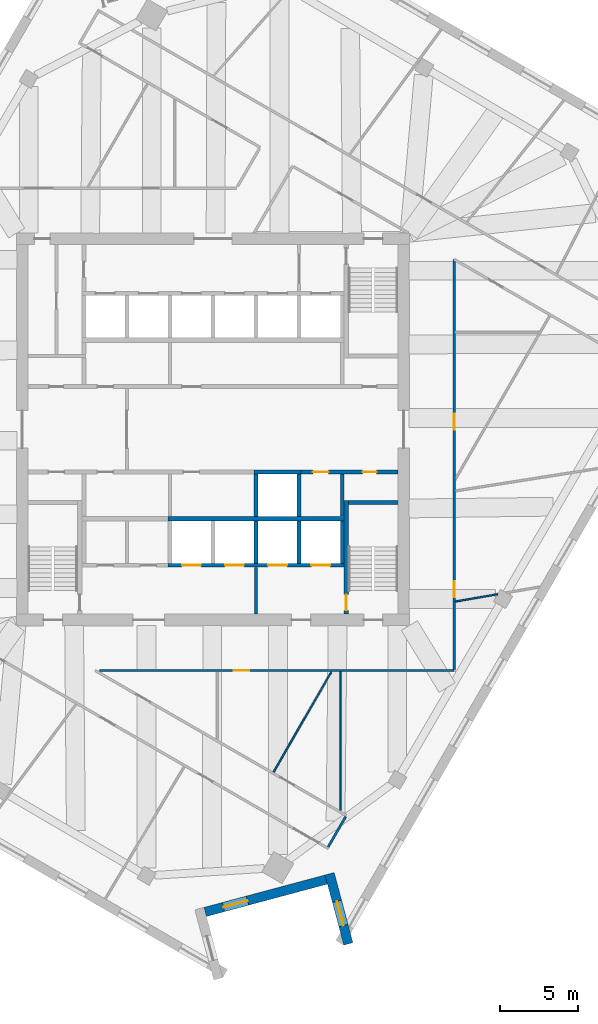
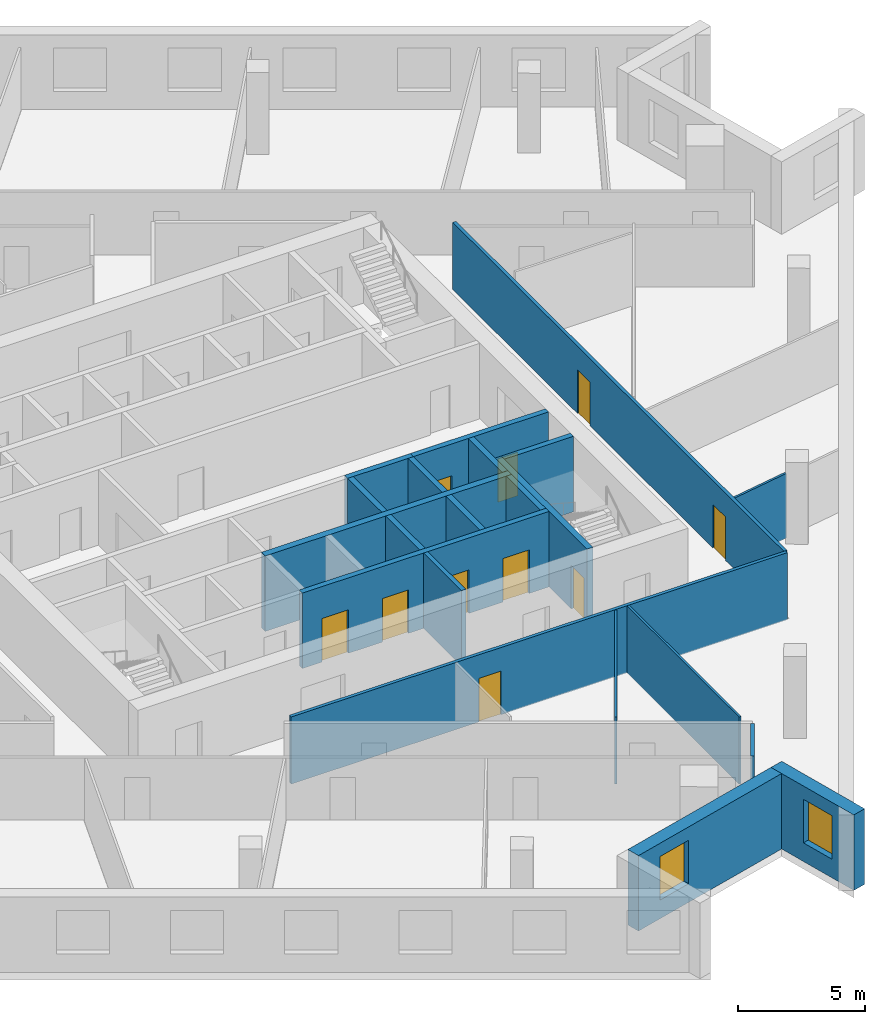
# One storey, part 7 of 13: 21 walls, 10 doors, 2 windows, 12 openings.
"""IFC4 building model written with IfcOpenShell, lengths in metres."""

from ifc_helpers import new_model, si_unit, direction, frame, frame_2d, origin, place, context, subcontext, project, spatial, rectangle, extrude, material, layer, layer_set, type_object, element, fill, save


model = new_model("IFC4")

# Units and contexts
model_context = context("Model", 3, precision=1e-05, world=origin(), true_north=direction((0.0, 1.0)))
body_context = subcontext(model_context, "Body", "Model", "MODEL_VIEW")
ifc_project = project(units=[si_unit("LENGTHUNIT", "METRE"), si_unit("AREAUNIT", "SQUARE_METRE"), si_unit("VOLUMEUNIT", "CUBIC_METRE"), si_unit("PLANEANGLEUNIT", "RADIAN"), si_unit("MASSUNIT", "GRAM", prefix="KILO")], contexts=[model_context])

# Site, building, storey
site_placement = place(None, origin())
site = spatial("IfcSite", under=ifc_project, at=site_placement, CompositionType="ELEMENT")
building_placement = place(site_placement, origin())
building = spatial("IfcBuilding", under=site, at=building_placement, Name="Dilmun Exchange Tower", CompositionType="ELEMENT")
storey_placement = place(building_placement, frame((0.0, 0.0, 262.89990234375)))
storey = spatial("IfcBuildingStorey", under=building, at=storey_placement, Name="L62", CompositionType="ELEMENT", Elevation=262.89990234375)

# Walls
ifc_material_1 = material(Name="Concrete C40/50", Category="concrete")
ifc_layer_1 = layer(ifc_material_1, 0.199951171875)
ifc_layer_set_1 = layer_set([ifc_layer_1], Name="Concrete C40/50")
wall_type_1 = type_object("IfcWallType", Name="Core partition wall 200", PredefinedType="PARTITIONING", material=ifc_layer_set_1)
wall_1_placement = place(storey_placement, frame((2.75, -11.794921875, 0.0), z_axis=(0.0, 0.0, 1.0), x_axis=(0.0, 1.0, 0.0)))
element("IfcWall", 1, at=wall_1_placement, inside=storey, type_object=wall_type_1, Name="L62 core partition wall 01", PredefinedType="PARTITIONING", context=body_context, shape_type="SweptSolid", body=[
    extrude(rectangle(XDim=2.989990234375, YDim=0.199951171875, at=frame_2d((1.4951171875, 0.0))), origin(), (0.0, 0.0, 1.0), 3.64013671875),
])
ifc_layer_2 = layer(ifc_material_1, 0.25)
ifc_layer_set_2 = layer_set([ifc_layer_2], Name="Concrete C40/50")
wall_type_2 = type_object("IfcWallType", Name="Core partition wall 250", PredefinedType="PARTITIONING", material=ifc_layer_set_2)
wall_2_placement = place(storey_placement, frame((8.25, -5.544921875, 0.0), z_axis=(0.0, 0.0, 1.0), x_axis=(0.0, 1.0, 0.0)))
element("IfcWall", 2, at=wall_2_placement, inside=storey, type_object=wall_type_2, Name="L62 core partition wall 08", PredefinedType="PARTITIONING", context=body_context, shape_type="SweptSolid", body=[
    extrude(rectangle(XDim=2.68994140625, YDim=0.25, at=frame_2d((1.344970703125, 0.0))), origin(), (0.0, 0.0, 1.0), 3.64013671875),
])

# Wall, openings, doors
wall_3_placement = place(storey_placement, frame((5.6298828125, -2.72509765625, 0.0), z_axis=(0.0, 0.0, 1.0), x_axis=(1.0, 0.0, 0.0)))
wall_3 = element("IfcWall", 3, at=wall_3_placement, inside=storey, type_object=wall_type_2, Name="L62 core partition wall 10", PredefinedType="PARTITIONING", context=body_context, shape_type="SweptSolid", body=[
    extrude(rectangle(XDim=6.1650390625, YDim=0.25, at=frame_2d((3.08251953125, 0.0))), origin(), (0.0, 0.0, 1.0), 3.64013671875),
])
opening_1_placement = place(wall_3_placement, frame((0.7451171875, 0.0, 0.0)))
opening_1 = element("IfcOpeningElement", 4, at=opening_1_placement, cuts=wall_3, Name="Opening CD4", PredefinedType="OPENING", context=body_context, shape_type="SweptSolid", body=[
    extrude(rectangle(XDim=1.0, YDim=2.10009765625, at=frame_2d((0.5, 1.050048828125))), frame((0.0, 0.135009765625, 0.0), z_axis=(0.0, -1.0, 0.0), x_axis=(1.0, 0.0, 0.0)), (0.0, 0.0, 1.0), 0.27001953125),
])
opening_2_placement = place(wall_3_placement, frame((3.919921875, 0.0, 0.0)))
opening_2 = element("IfcOpeningElement", 5, at=opening_2_placement, cuts=wall_3, Name="Opening CD6", PredefinedType="OPENING", context=body_context, shape_type="SweptSolid", body=[
    extrude(rectangle(XDim=0.89990234375, YDim=2.10009765625, at=frame_2d((0.449951171875, 1.050048828125))), frame((0.0, 0.135009765625, 0.0), z_axis=(0.0, -1.0, 0.0), x_axis=(1.0, 0.0, 0.0)), (0.0, 0.0, 1.0), 0.27001953125),
])
ifc_material_2 = material(Name="Fire-rated steel door set", Category="steel")
door_type_1 = type_object("IfcDoorType", Name="Core room door 1000x2100", OperationType="SINGLE_SWING_LEFT", PredefinedType="DOOR", material=ifc_material_2)
door_1_placement = place(opening_1_placement, origin())
door_1 = element("IfcDoor", 6, at=door_1_placement, inside=storey, type_object=door_type_1, Name="L62 door Cleaners' store", OperationType="SINGLE_SWING_LEFT", OverallHeight=2.10009765625, OverallWidth=1.0, PredefinedType="DOOR", context=body_context, shape_type="SweptSolid", body=[
    extrude(rectangle(XDim=1.0, YDim=2.10009765625, at=frame_2d((0.5, 1.050048828125))), frame((0.0, 0.02490234375, 0.0), z_axis=(0.0, -1.0, 0.0), x_axis=(1.0, 0.0, 0.0)), (0.0, 0.0, 1.0), 0.050048828125),
])
fill(opening_1, door_1)
door_type_2 = type_object("IfcDoorType", Name="Core room door 900x2100", OperationType="SINGLE_SWING_LEFT", PredefinedType="DOOR", material=ifc_material_2)
door_2_placement = place(opening_2_placement, origin())
door_2 = element("IfcDoor", 7, at=door_2_placement, inside=storey, type_object=door_type_2, Name="L62 door Comms riser", OperationType="SINGLE_SWING_LEFT", OverallHeight=2.10009765625, OverallWidth=0.89990234375, PredefinedType="DOOR", context=body_context, shape_type="SweptSolid", body=[
    extrude(rectangle(XDim=0.89990234375, YDim=2.10009765625, at=frame_2d((0.449951171875, 1.050048828125))), frame((0.0, 0.02490234375, 0.0), z_axis=(0.0, -1.0, 0.0), x_axis=(1.0, 0.0, 0.0)), (0.0, 0.0, 1.0), 0.050048828125),
])
fill(opening_2, door_2)

# Wall, opening, door
ifc_material_3 = material(Name="Corridor wall 150")
ifc_layer_3 = layer(ifc_material_3, 0.14990234375)
ifc_layer_set_3 = layer_set([ifc_layer_3], Name="Corridor wall 150")
wall_type_3 = type_object("IfcWallType", Name="Corridor wall 150", PredefinedType="PARTITIONING", material=ifc_layer_set_3)
wall_4_placement = place(storey_placement, frame((-7.239990234375, -15.39990234375, 0.0), z_axis=(0.0, 0.0, 1.0), x_axis=(1.0, 0.0, 0.0)))
wall_4 = element("IfcWall", 8, at=wall_4_placement, inside=storey, type_object=wall_type_3, Name="Corridor wall", PredefinedType="PARTITIONING", context=body_context, shape_type="SweptSolid", body=[
    extrude(rectangle(XDim=22.639892578125, YDim=0.14990234375, at=frame_2d((11.31982421875, 0.0))), origin(), (0.0, 0.0, 1.0), 3.239990234375),
])
opening_3_placement = place(wall_4_placement, frame((8.568359375, 0.0, 0.0)))
opening_3 = element("IfcOpeningElement", 9, at=opening_3_placement, cuts=wall_4, Name="Opening TF62-D11", PredefinedType="OPENING", context=body_context, shape_type="SweptSolid", body=[
    extrude(rectangle(XDim=1.0, YDim=2.10009765625, at=frame_2d((0.5, 1.050048828125))), frame((0.0, 0.0849609375, 0.0), z_axis=(0.0, -1.0, 0.0), x_axis=(1.0, 0.0, 0.0)), (0.0, 0.0, 1.0), 0.169921875),
])
ifc_material_4 = material(Name="Fire door 1000 x 2100")
door_type_3 = type_object("IfcDoorType", Name="Fire door 1000 x 2100", OperationType="NOTDEFINED", PredefinedType="DOOR", material=ifc_material_4)
door_3_placement = place(opening_3_placement, frame((1.0, 0.0, 0.0), z_axis=(0.0, 0.0, 1.0), x_axis=(-1.0, 0.0, 0.0)))
door_3 = element("IfcDoor", 10, at=door_3_placement, inside=storey, type_object=door_type_3, Name="Door TF62-D11", OperationType="SINGLE_SWING_RIGHT", OverallHeight=2.10009765625, OverallWidth=1.0, PredefinedType="DOOR", context=body_context, shape_type="SweptSolid", body=[
    extrude(rectangle(XDim=1.0, YDim=2.10009765625, at=frame_2d((0.5, 1.050048828125))), frame((0.0, 0.02490234375, 0.0), z_axis=(0.0, -1.0, 0.0), x_axis=(1.0, 0.0, 0.0)), (0.0, 0.0, 1.0), 0.050048828125),
])
fill(opening_3, door_3)

# Wall
wall_5_placement = place(storey_placement, frame((7.349609375, -26.669921875, 0.0), z_axis=(0.0, 0.0, 1.0), x_axis=(0.499919672301, 0.866071776036, 0.0)))
element("IfcWall", 11, at=wall_5_placement, inside=storey, type_object=wall_type_3, Name="Corridor wall", PredefinedType="PARTITIONING", context=body_context, shape_type="SweptSolid", body=[
    extrude(rectangle(XDim=2.250244140625, YDim=0.14990234375, at=frame_2d((1.125, 0.0))), origin(), (0.0, 0.0, 1.0), 3.0400390625),
])

# Wall, openings, doors
wall_6_placement = place(storey_placement, frame((15.39990234375, -15.324951171875, 0.0), z_axis=(0.0, 0.0, 1.0), x_axis=(0.0, 1.0, 0.0)))
wall_6 = element("IfcWall", 12, at=wall_6_placement, inside=storey, type_object=wall_type_3, Name="Corridor wall", PredefinedType="PARTITIONING", context=body_context, shape_type="SweptSolid", body=[
    extrude(rectangle(XDim=26.175048828125, YDim=0.14990234375, at=frame_2d((13.08740234375, 0.0))), origin(), (0.0, 0.0, 1.0), 3.239990234375),
])
opening_4_placement = place(wall_6_placement, frame((15.31201171875, 0.0, 0.0)))
opening_4 = element("IfcOpeningElement", 13, at=opening_4_placement, cuts=wall_6, Name="Opening TF62-D18", PredefinedType="OPENING", context=body_context, shape_type="SweptSolid", body=[
    extrude(rectangle(XDim=1.0, YDim=2.10009765625, at=frame_2d((0.5, 1.050048828125))), frame((0.0, 0.0849609375, 0.0), z_axis=(0.0, -1.0, 0.0), x_axis=(1.0, 0.0, 0.0)), (0.0, 0.0, 1.0), 0.169921875),
])
opening_5_placement = place(wall_6_placement, frame((4.618896484375, 0.0, 0.0)))
opening_5 = element("IfcOpeningElement", 14, at=opening_5_placement, cuts=wall_6, Name="Opening TF62-D20", PredefinedType="OPENING", context=body_context, shape_type="SweptSolid", body=[
    extrude(rectangle(XDim=1.0, YDim=2.10009765625, at=frame_2d((0.5, 1.050048828125))), frame((0.0, 0.0849609375, 0.0), z_axis=(0.0, -1.0, 0.0), x_axis=(1.0, 0.0, 0.0)), (0.0, 0.0, 1.0), 0.169921875),
])
door_4_placement = place(opening_4_placement, frame((1.0, 0.0, 0.0), z_axis=(0.0, 0.0, 1.0), x_axis=(-1.0, 0.0, 0.0)))
door_4 = element("IfcDoor", 15, at=door_4_placement, inside=storey, type_object=door_type_3, Name="Door TF62-D18", OperationType="SINGLE_SWING_LEFT", OverallHeight=2.10009765625, OverallWidth=1.0, PredefinedType="DOOR", context=body_context, shape_type="SweptSolid", body=[
    extrude(rectangle(XDim=1.0, YDim=2.10009765625, at=frame_2d((0.5, 1.050048828125))), frame((0.0, 0.02490234375, 0.0), z_axis=(0.0, -1.0, 0.0), x_axis=(1.0, 0.0, 0.0)), (0.0, 0.0, 1.0), 0.050048828125),
])
fill(opening_4, door_4)
door_5_placement = place(opening_5_placement, frame((1.0, 0.0, 0.0), z_axis=(0.0, 0.0, 1.0), x_axis=(-1.0, 0.0, 0.0)))
door_5 = element("IfcDoor", 16, at=door_5_placement, inside=storey, type_object=door_type_3, Name="Door TF62-D20", OperationType="SINGLE_SWING_LEFT", OverallHeight=2.10009765625, OverallWidth=1.0, PredefinedType="DOOR", context=body_context, shape_type="SweptSolid", body=[
    extrude(rectangle(XDim=1.0, YDim=2.10009765625, at=frame_2d((0.5, 1.050048828125))), frame((0.0, 0.02490234375, 0.0), z_axis=(0.0, -1.0, 0.0), x_axis=(1.0, 0.0, 0.0)), (0.0, 0.0, 1.0), 0.050048828125),
])
fill(opening_5, door_5)

# Walls
ifc_layer_4 = layer(ifc_material_1, 0.300048828125)
ifc_layer_set_4 = layer_set([ifc_layer_4], Name="Concrete C40/50")
wall_type_4 = type_object("IfcWallType", Name="Lift shaft shared wall 300", PredefinedType="SOLIDWALL", material=ifc_layer_set_4)
wall_7_placement = place(storey_placement, frame((-2.875, -5.699951171875, 0.0), z_axis=(0.0, 0.0, 1.0), x_axis=(1.0, 0.0, 0.0)))
element("IfcWall", 17, at=wall_7_placement, inside=storey, type_object=wall_type_4, Name="L62 lift shaft rear wall S", PredefinedType="SOLIDWALL", context=body_context, shape_type="SweptSolid", body=[
    extrude(rectangle(XDim=11.25, YDim=0.300048828125, at=frame_2d((5.625, 0.0))), origin(), (0.0, 0.0, 1.0), 3.64013671875),
])
ifc_layer_5 = layer(ifc_material_1, 0.25)
ifc_layer_set_5 = layer_set([ifc_layer_5], Name="Concrete C40/50")
wall_type_5 = type_object("IfcWallType", Name="Lift shaft wall 250", PredefinedType="SOLIDWALL", material=ifc_layer_set_5)
wall_8_placement = place(storey_placement, frame((2.625, -2.72509765625, 0.0), z_axis=(0.0, 0.0, 1.0), x_axis=(1.0, 0.0, 0.0)))
element("IfcWall", 18, at=wall_8_placement, inside=storey, type_object=wall_type_5, Name="L62 lift shaft front wall S1", PredefinedType="SOLIDWALL", context=body_context, shape_type="SweptSolid", body=[
    extrude(rectangle(XDim=3.0, YDim=0.25, at=frame_2d((1.5, 0.0))), origin(), (0.0, 0.0, 1.0), 3.64013671875),
])
for number, where, z_axis, x_axis, name in (
    (19, (2.75, -5.550048828125, 0.0), (0.0, 0.0, 1.0), (0.0, 1.0, 0.0), "L62 lift shaft divider S14"),
    (20, (5.5, -5.550048828125, 0.0), (0.0, 0.0, 1.0), (0.0, 1.0, 0.0), "L62 lift shaft divider S15"),
):
    element("IfcWall", number, at=place(storey_placement, frame(where, z_axis=z_axis, x_axis=x_axis)), inside=storey, type_object=wall_type_5, Name=name, PredefinedType="SOLIDWALL", context=body_context, shape_type="SweptSolid", body=[
        extrude(rectangle(XDim=2.699951171875, YDim=0.25, at=frame_2d((1.35009765625, 0.0))), origin(), (0.0, 0.0, 1.0), 3.64013671875),
    ])

# Wall, openings, doors
wall_9_placement = place(storey_placement, frame((-2.875, -8.675048828125, 0.0), z_axis=(0.0, 0.0, 1.0), x_axis=(1.0, 0.0, 0.0)))
wall_9 = element("IfcWall", 21, at=wall_9_placement, inside=storey, type_object=wall_type_5, Name="L62 lift shaft front wall S2", PredefinedType="SOLIDWALL", context=body_context, shape_type="SweptSolid", body=[
    extrude(rectangle(XDim=11.25, YDim=0.25, at=frame_2d((5.625, 0.0))), origin(), (0.0, 0.0, 1.0), 3.64013671875),
])
opening_6_placement = place(wall_9_placement, frame((0.89990234375, 0.0, 0.0)))
opening_6 = element("IfcOpeningElement", 22, at=opening_6_placement, cuts=wall_9, Name="Opening LD", PredefinedType="OPENING", context=body_context, shape_type="SweptSolid", body=[
    extrude(rectangle(XDim=1.199951171875, YDim=2.10009765625, at=frame_2d((0.60009765625, 1.050048828125))), frame((0.0, 0.135009765625, 0.0), z_axis=(0.0, -1.0, 0.0), x_axis=(1.0, 0.0, 0.0)), (0.0, 0.0, 1.0), 0.27001953125),
])
opening_7_placement = place(wall_9_placement, frame((3.64990234375, 0.0, 0.0)))
opening_7 = element("IfcOpeningElement", 23, at=opening_7_placement, cuts=wall_9, Name="Opening LD", PredefinedType="OPENING", context=body_context, shape_type="SweptSolid", body=[
    extrude(rectangle(XDim=1.199951171875, YDim=2.10009765625, at=frame_2d((0.60009765625, 1.050048828125))), frame((0.0, 0.135009765625, 0.0), z_axis=(0.0, -1.0, 0.0), x_axis=(1.0, 0.0, 0.0)), (0.0, 0.0, 1.0), 0.27001953125),
])
opening_8_placement = place(wall_9_placement, frame((6.39990234375, 0.0, 0.0)))
opening_8 = element("IfcOpeningElement", 24, at=opening_8_placement, cuts=wall_9, Name="Opening LD", PredefinedType="OPENING", context=body_context, shape_type="SweptSolid", body=[
    extrude(rectangle(XDim=1.199951171875, YDim=2.10009765625, at=frame_2d((0.60009765625, 1.050048828125))), frame((0.0, 0.135009765625, 0.0), z_axis=(0.0, -1.0, 0.0), x_axis=(1.0, 0.0, 0.0)), (0.0, 0.0, 1.0), 0.27001953125),
])
opening_9_placement = place(wall_9_placement, frame((9.14990234375, 0.0, 0.0)))
opening_9 = element("IfcOpeningElement", 25, at=opening_9_placement, cuts=wall_9, Name="Opening LD", PredefinedType="OPENING", context=body_context, shape_type="SweptSolid", body=[
    extrude(rectangle(XDim=1.199951171875, YDim=2.10009765625, at=frame_2d((0.60009765625, 1.050048828125))), frame((0.0, 0.135009765625, 0.0), z_axis=(0.0, -1.0, 0.0), x_axis=(1.0, 0.0, 0.0)), (0.0, 0.0, 1.0), 0.27001953125),
])
door_type_4 = type_object("IfcDoorType", Name="Lift landing door 1200x2100", OperationType="DOUBLE_DOOR_SLIDING", PredefinedType="DOOR", material=ifc_material_2)
door_6_placement = place(opening_6_placement, origin())
door_6 = element("IfcDoor", 26, at=door_6_placement, inside=storey, type_object=door_type_4, Name="L62 landing door SV1", OperationType="DOUBLE_DOOR_SLIDING", OverallHeight=2.10009765625, OverallWidth=1.199951171875, PredefinedType="DOOR", context=body_context, shape_type="SweptSolid", body=[
    extrude(rectangle(XDim=1.199951171875, YDim=2.10009765625, at=frame_2d((0.60009765625, 1.050048828125))), frame((0.0, 0.02490234375, 0.0), z_axis=(0.0, -1.0, 0.0), x_axis=(1.0, 0.0, 0.0)), (0.0, 0.0, 1.0), 0.050048828125),
])
fill(opening_6, door_6)
door_7_placement = place(opening_7_placement, origin())
door_7 = element("IfcDoor", 27, at=door_7_placement, inside=storey, type_object=door_type_4, Name="L62 landing door SV2", OperationType="DOUBLE_DOOR_SLIDING", OverallHeight=2.10009765625, OverallWidth=1.199951171875, PredefinedType="DOOR", context=body_context, shape_type="SweptSolid", body=[
    extrude(rectangle(XDim=1.199951171875, YDim=2.10009765625, at=frame_2d((0.60009765625, 1.050048828125))), frame((0.0, 0.02490234375, 0.0), z_axis=(0.0, -1.0, 0.0), x_axis=(1.0, 0.0, 0.0)), (0.0, 0.0, 1.0), 0.050048828125),
])
fill(opening_7, door_7)
door_8_placement = place(opening_8_placement, origin())
door_8 = element("IfcDoor", 28, at=door_8_placement, inside=storey, type_object=door_type_4, Name="L62 landing door FF1", OperationType="DOUBLE_DOOR_SLIDING", OverallHeight=2.10009765625, OverallWidth=1.199951171875, PredefinedType="DOOR", context=body_context, shape_type="SweptSolid", body=[
    extrude(rectangle(XDim=1.199951171875, YDim=2.10009765625, at=frame_2d((0.60009765625, 1.050048828125))), frame((0.0, 0.02490234375, 0.0), z_axis=(0.0, -1.0, 0.0), x_axis=(1.0, 0.0, 0.0)), (0.0, 0.0, 1.0), 0.050048828125),
])
fill(opening_8, door_8)
door_9_placement = place(opening_9_placement, origin())
door_9 = element("IfcDoor", 29, at=door_9_placement, inside=storey, type_object=door_type_4, Name="L62 landing door FF2", OperationType="DOUBLE_DOOR_SLIDING", OverallHeight=2.10009765625, OverallWidth=1.199951171875, PredefinedType="DOOR", context=body_context, shape_type="SweptSolid", body=[
    extrude(rectangle(XDim=1.199951171875, YDim=2.10009765625, at=frame_2d((0.60009765625, 1.050048828125))), frame((0.0, 0.02490234375, 0.0), z_axis=(0.0, -1.0, 0.0), x_axis=(1.0, 0.0, 0.0)), (0.0, 0.0, 1.0), 0.050048828125),
])
fill(opening_9, door_9)

# Walls
for number, where, z_axis, x_axis, name in (
    (30, (2.75, -8.550048828125, 0.0), (0.0, 0.0, 1.0), (0.0, 1.0, 0.0), "L62 lift shaft divider S24"),
    (31, (5.5, -8.550048828125, 0.0), (0.0, 0.0, 1.0), (0.0, 1.0, 0.0), "L62 lift shaft divider S25"),
    (32, (8.25, -8.550048828125, 0.0), (0.0, 0.0, 1.0), (0.0, 1.0, 0.0), "L62 lift shaft divider S26"),
):
    element("IfcWall", number, at=place(storey_placement, frame(where, z_axis=z_axis, x_axis=x_axis)), inside=storey, type_object=wall_type_5, Name=name, PredefinedType="SOLIDWALL", context=body_context, shape_type="SweptSolid", body=[
        extrude(rectangle(XDim=2.699951171875, YDim=0.25, at=frame_2d((1.35009765625, 0.0))), origin(), (0.0, 0.0, 1.0), 3.64013671875),
    ])
ifc_material_5 = material(Name="Partition 100")
ifc_layer_6 = layer(ifc_material_5, 0.10009765625)
ifc_layer_set_6 = layer_set([ifc_layer_6], Name="Partition 100")
wall_type_6 = type_object("IfcWallType", Name="Partition 100", PredefinedType="PARTITIONING", material=ifc_layer_set_6)
wall_10_placement = place(storey_placement, frame((3.862548828125, -21.885009765625, 0.0), z_axis=(0.0, 0.0, 1.0), x_axis=(0.500038702166, 0.866003057926, 0.0)))
element("IfcWall", 33, at=wall_10_placement, inside=storey, type_object=wall_type_6, Name="Partition", PredefinedType="PARTITIONING", context=body_context, shape_type="SweptSolid", body=[
    extrude(rectangle(XDim=7.373046875, YDim=0.10009765625, at=frame_2d((3.6865234375, 0.0))), origin(), (0.0, 0.0, 1.0), 3.239990234375),
])
wall_11_placement = place(storey_placement, frame((8.135009765625, -24.322509765625, 0.0), z_axis=(0.0, 0.0, 1.0), x_axis=(0.0, 1.0, 0.0)))
element("IfcWall", 34, at=wall_11_placement, inside=storey, type_object=wall_type_6, Name="Partition", PredefinedType="PARTITIONING", context=body_context, shape_type="SweptSolid", body=[
    extrude(rectangle(XDim=8.847412109375, YDim=0.10009765625, at=frame_2d((4.423828125, 0.0))), origin(), (0.0, 0.0, 1.0), 3.239990234375),
])
wall_12_placement = place(storey_placement, frame((15.4833984375, -10.99169921875, 0.0), z_axis=(0.0, 0.0, 1.0), x_axis=(0.98545132529, 0.169957893267, 0.0)))
element("IfcWall", 35, at=wall_12_placement, inside=storey, type_object=wall_type_6, Name="Partition", PredefinedType="PARTITIONING", context=body_context, shape_type="SweptSolid", body=[
    extrude(rectangle(XDim=2.726318359375, YDim=0.10009765625, at=frame_2d((1.36328125, 0.0))), origin(), (0.0, 0.0, 1.0), 3.1201171875),
])

# Wall, opening, window
ifc_material_6 = material(Name="Precast concrete C50/60", Category="concrete")
ifc_layer_7 = layer(ifc_material_6, 0.60009765625)
ifc_layer_set_7 = layer_set([ifc_layer_7], Name="Precast concrete C50/60")
wall_type_7 = type_object("IfcWallType", Name="Precast stone-clad wall 600", PredefinedType="STANDARD", material=ifc_layer_set_7)
wall_13_placement = place(storey_placement, frame((-0.496337890625, -30.814453125, 0.0), z_axis=(0.0, 0.0, 1.0), x_axis=(0.965926801599, 0.258815405168, 0.0)))
wall_13 = element("IfcWall", 36, at=wall_13_placement, inside=storey, type_object=wall_type_7, Name="Facade wall L62-09", PredefinedType="STANDARD", context=body_context, shape_type="SweptSolid", body=[
    extrude(rectangle(XDim=8.000244140625, YDim=0.60009765625, at=frame_2d((4.0, 0.0))), origin(), (0.0, 0.0, 1.0), 3.64013671875),
])
opening_10_placement = place(wall_13_placement, frame((1.199951171875, 0.0, 0.89990234375)))
opening_10 = element("IfcOpeningElement", 37, at=opening_10_placement, cuts=wall_13, Name="Opening W160-210", PredefinedType="OPENING", context=body_context, shape_type="SweptSolid", body=[
    extrude(rectangle(XDim=1.60009765625, YDim=2.10009765625, at=frame_2d((0.800048828125, 1.050048828125))), frame((0.0, 0.31005859375, 0.0), z_axis=(0.0, -1.0, 0.0), x_axis=(1.0, 0.0, 0.0)), (0.0, 0.0, 1.0), 0.6201171875),
])
ifc_material_7 = material(Name="Clear low-emissivity glass in aluminium frame", Category="aluminium")
window_type = type_object("IfcWindowType", Name="Punched window 1600 x 2100", PartitioningType="DOUBLE_PANEL_VERTICAL", PredefinedType="WINDOW", material=ifc_material_7)
window_1_placement = place(opening_10_placement, origin())
window_1 = element("IfcWindow", 38, at=window_1_placement, inside=storey, type_object=window_type, Name="Window 10.1", OverallHeight=2.10009765625, OverallWidth=1.60009765625, PartitioningType="SINGLE_PANEL", PredefinedType="WINDOW", context=body_context, shape_type="SweptSolid", body=[
    extrude(rectangle(XDim=1.60009765625, YDim=2.10009765625, at=frame_2d((0.800048828125, 1.050048828125))), frame((0.0, 0.030029296875, 0.0), z_axis=(0.0, -1.0, 0.0), x_axis=(1.0, 0.0, 0.0)), (0.0, 0.0, 1.0), 0.06005859375),
])
fill(opening_10, window_1)

wall_14_placement = place(storey_placement, frame((7.443115234375, -28.376708984375, 0.0), z_axis=(0.0, 0.0, 1.0), x_axis=(0.258872105846, -0.965911607144, 0.0)))
wall_14 = element("IfcWall", 39, at=wall_14_placement, inside=storey, type_object=wall_type_7, Name="Facade wall L62-10", PredefinedType="STANDARD", context=body_context, shape_type="SweptSolid", body=[
    extrude(rectangle(XDim=4.63525390625, YDim=0.60009765625, at=frame_2d((2.317626953125, 0.0))), origin(), (0.0, 0.0, 1.0), 3.64013671875),
])
opening_11_placement = place(wall_14_placement, frame((1.81787109375, 0.0, 0.89990234375)))
opening_11 = element("IfcOpeningElement", 40, at=opening_11_placement, cuts=wall_14, Name="Opening W160-210", PredefinedType="OPENING", context=body_context, shape_type="SweptSolid", body=[
    extrude(rectangle(XDim=1.60009765625, YDim=2.10009765625, at=frame_2d((0.800048828125, 1.050048828125))), frame((0.0, 0.31005859375, 0.0), z_axis=(0.0, -1.0, 0.0), x_axis=(1.0, 0.0, 0.0)), (0.0, 0.0, 1.0), 0.6201171875),
])
window_2_placement = place(opening_11_placement, origin())
window_2 = element("IfcWindow", 41, at=window_2_placement, inside=storey, type_object=window_type, Name="Window 11.1", OverallHeight=2.10009765625, OverallWidth=1.60009765625, PartitioningType="SINGLE_PANEL", PredefinedType="WINDOW", context=body_context, shape_type="SweptSolid", body=[
    extrude(rectangle(XDim=1.60009765625, YDim=2.10009765625, at=frame_2d((0.800048828125, 1.050048828125))), frame((0.0, 0.030029296875, 0.0), z_axis=(0.0, -1.0, 0.0), x_axis=(1.0, 0.0, 0.0)), (0.0, 0.0, 1.0), 0.06005859375),
])
fill(opening_11, window_2)

# Wall
ifc_layer_8 = layer(ifc_material_1, 0.25)
ifc_layer_set_8 = layer_set([ifc_layer_8], Name="Concrete C40/50")
wall_type_8 = type_object("IfcWallType", Name="Stair end wall 250", PredefinedType="SOLIDWALL", material=ifc_layer_set_8)
wall_15_placement = place(storey_placement, frame((8.64990234375, -4.675048828125, 0.0), z_axis=(0.0, 0.0, 1.0), x_axis=(1.0, 0.0, 0.0)))
element("IfcWall", 42, at=wall_15_placement, inside=storey, type_object=wall_type_8, Name="L62 ST3 far wall", PredefinedType="SOLIDWALL", context=body_context, shape_type="SweptSolid", body=[
    extrude(rectangle(XDim=3.150146484375, YDim=0.25, at=frame_2d((1.5751953125, 0.0))), origin(), (0.0, 0.0, 1.0), 3.64013671875),
])

# Wall, opening, door
ifc_layer_9 = layer(ifc_material_1, 0.27490234375)
ifc_layer_set_9 = layer_set([ifc_layer_9], Name="Concrete C40/50")
wall_type_9 = type_object("IfcWallType", Name="Stair wall 275", PredefinedType="SOLIDWALL", material=ifc_layer_set_9)
wall_16_placement = place(storey_placement, frame((8.512451171875, -4.550048828125, 0.0), z_axis=(0.0, 0.0, 1.0), x_axis=(0.0, -1.0, 0.0)))
wall_16 = element("IfcWall", 43, at=wall_16_placement, inside=storey, type_object=wall_type_9, Name="L62 ST3 wall to lift block", PredefinedType="SOLIDWALL", context=body_context, shape_type="SweptSolid", body=[
    extrude(rectangle(XDim=7.25, YDim=0.27490234375, at=frame_2d((3.625, 0.0))), origin(), (0.0, 0.0, 1.0), 3.64013671875),
])
opening_12_placement = place(wall_16_placement, frame((6.0, 0.0, 0.0)))
opening_12 = element("IfcOpeningElement", 44, at=opening_12_placement, cuts=wall_16, Name="Opening CD4", PredefinedType="OPENING", context=body_context, shape_type="SweptSolid", body=[
    extrude(rectangle(XDim=1.0, YDim=2.10009765625, at=frame_2d((0.5, 1.050048828125))), frame((0.0, 0.1474609375, 0.0), z_axis=(0.0, -1.0, 0.0), x_axis=(1.0, 0.0, 0.0)), (0.0, 0.0, 1.0), 0.294921875),
])
door_10_placement = place(opening_12_placement, origin())
door_10 = element("IfcDoor", 45, at=door_10_placement, inside=storey, type_object=door_type_1, Name="L62 door ST3 from lobby", OperationType="SINGLE_SWING_LEFT", OverallHeight=2.10009765625, OverallWidth=1.0, PredefinedType="DOOR", context=body_context, shape_type="SweptSolid", body=[
    extrude(rectangle(XDim=1.0, YDim=2.10009765625, at=frame_2d((0.5, 1.050048828125))), frame((0.0, 0.02490234375, 0.0), z_axis=(0.0, -1.0, 0.0), x_axis=(1.0, 0.0, 0.0)), (0.0, 0.0, 1.0), 0.050048828125),
])
fill(opening_12, door_10)

save(model, "model.ifc")
